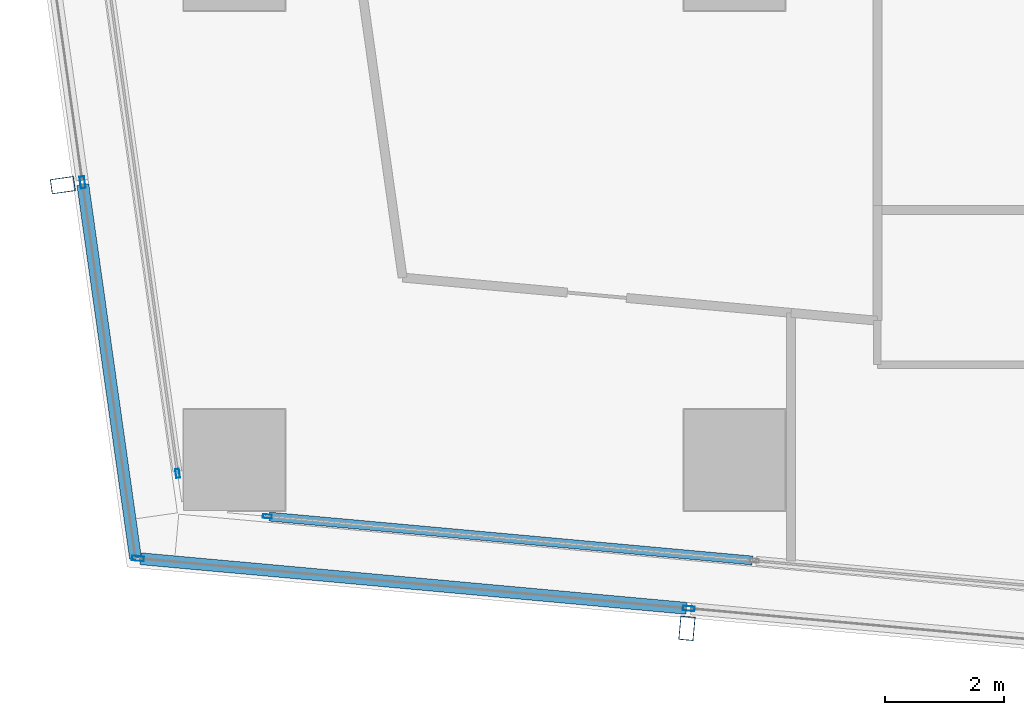
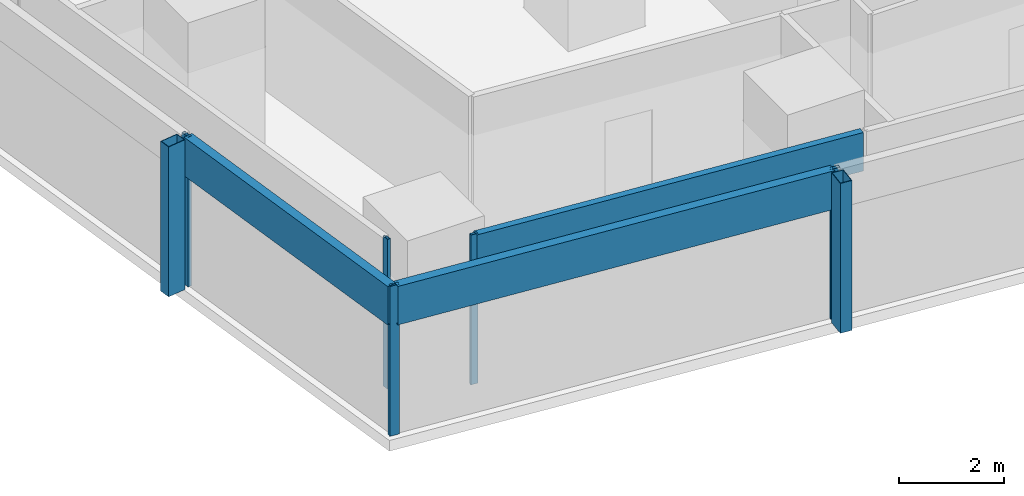
# One storey, part 2 of 40: 10 members, 4 elements without a shape of their own.
"""IFC4 building model written with IfcOpenShell, lengths in metres."""

from ifc_helpers import new_model, si_unit, direction, frame, origin, origin_2d, place, context, subcontext, project, spatial, hollow_rectangle, extrude, material, material_profile, profile_set, type_object, element, aggregate, save


model = new_model("IFC4")

# Units and contexts
model_context = context("Model", 3, precision=1e-05, world=origin(), true_north=direction((0.0, 1.0)))
body_context = subcontext(model_context, "Body", "Model", "MODEL_VIEW")
ifc_project = project(units=[si_unit("LENGTHUNIT", "METRE"), si_unit("AREAUNIT", "SQUARE_METRE"), si_unit("VOLUMEUNIT", "CUBIC_METRE"), si_unit("PLANEANGLEUNIT", "RADIAN"), si_unit("MASSUNIT", "GRAM", prefix="KILO")], contexts=[model_context])

# Site, building, storey
site_placement = place(None, origin())
site = spatial("IfcSite", under=ifc_project, at=site_placement, CompositionType="ELEMENT")
building_placement = place(site_placement, origin())
building = spatial("IfcBuilding", under=site, at=building_placement, Name="Rekha Terrace Tower", CompositionType="ELEMENT")
storey_placement = place(building_placement, frame((0.0, 0.0, 125.300048828125)))
storey = spatial("IfcBuildingStorey", under=building, at=storey_placement, Name="L31", CompositionType="ELEMENT", Elevation=125.300048828125)

# Curtain wall, member
ifc_material_1 = material(Name="Aluminium framing", Category="aluminium")
curtain_wall_type_1 = type_object("IfcCurtainWallType", Name="CW2 double skin outer glazing", PredefinedType="USERDEFINED", material=ifc_material_1)
curtain_wall_1_placement = place(storey_placement, origin())
curtain_wall_1 = element("IfcCurtainWall", 1, at=curtain_wall_1_placement, inside=storey, type_object=curtain_wall_type_1, Name="CW2 double skin outer glazing", ObjectType="DOUBLE SKIN OUTER GLAZING", PredefinedType="USERDEFINED")
ifc_material_2 = material(Name="Steel S355 with fluorocarbon finish", Category="steel")
ifc_material_profile_1 = material_profile(ifc_material_2, hollow_rectangle(XDim=0.25, YDim=0.39990234375, WallThickness=0.012451171875, at=origin_2d()), Name="RHS400x250x12.5")
ifc_profile_set_1 = profile_set([ifc_material_profile_1], Name="Steel S355 with fluorocarbon finish")
member_type_1 = type_object("IfcMemberType", Name="BL1 facade blade RHS 400 x 250", PredefinedType="USERDEFINED", material=ifc_profile_set_1)
member_1_placement = place(storey_placement, frame((16.002197265625, 13.970458984375, 0.0), z_axis=(0.0, 0.0, 1.0), x_axis=(0.995901938317, -0.090439644273, 0.0)))
member_1 = element("IfcMember", 2, at=member_1_placement, type_object=member_type_1, Name="Facade blade", ObjectType="FACADE BLADE", PredefinedType="USERDEFINED", context=body_context, shape_type="SweptSolid", body=[
    extrude(hollow_rectangle(XDim=0.25, YDim=0.39990234375, WallThickness=0.012451171875, at=origin_2d()), origin(), (0.0, 0.0, 1.0), 3.5),
])

curtain_wall_2_placement = place(storey_placement, origin())
curtain_wall_2 = element("IfcCurtainWall", 3, at=curtain_wall_2_placement, inside=storey, type_object=curtain_wall_type_1, Name="CW2 double skin outer glazing", ObjectType="DOUBLE SKIN OUTER GLAZING", PredefinedType="USERDEFINED")
member_2_placement = place(storey_placement, frame((5.51904296875, 21.41455078125, 0.0), z_axis=(0.0, 0.0, 1.0), x_axis=(0.139596532461, -0.990208467003, 0.0)))
member_2 = element("IfcMember", 4, at=member_2_placement, type_object=member_type_1, Name="Facade blade", ObjectType="FACADE BLADE", PredefinedType="USERDEFINED", context=body_context, shape_type="SweptSolid", body=[
    extrude(hollow_rectangle(XDim=0.25, YDim=0.39990234375, WallThickness=0.012451171875, at=origin_2d()), origin(), (0.0, 0.0, 1.0), 3.5),
])

curtain_wall_type_2 = type_object("IfcCurtainWallType", Name="CW1 double skin inner glazing", PredefinedType="USERDEFINED", material=ifc_material_1)
curtain_wall_3_placement = place(storey_placement, origin())
curtain_wall_3 = element("IfcCurtainWall", 5, at=curtain_wall_3_placement, inside=storey, type_object=curtain_wall_type_2, Name="CW1 double skin inner glazing", ObjectType="DOUBLE SKIN INNER GLAZING", PredefinedType="USERDEFINED")
ifc_material_3 = material(Name="Aluminium mullion section", Category="aluminium")
ifc_material_profile_2 = material_profile(ifc_material_3, hollow_rectangle(XDim=0.06494140625, YDim=0.14990234375, WallThickness=0.00390625, at=origin_2d()), Name="AL RHS 65x150")
ifc_profile_set_2 = profile_set([ifc_material_profile_2], Name="Aluminium mullion section")
member_type_2 = type_object("IfcMemberType", Name="CW1 mullion RHS 65 x 150", PredefinedType="MULLION", material=ifc_profile_set_2)
member_3_placement = place(storey_placement, frame((8.953369140625, 15.8505859375, 0.0), z_axis=(0.0, 0.0, 1.0), x_axis=(0.090439811381, 0.995901923142, 0.0)))
member_3 = element("IfcMember", 6, at=member_3_placement, type_object=member_type_2, Name="CW1 mullion 1", PredefinedType="MULLION", context=body_context, shape_type="SweptSolid", body=[
    extrude(hollow_rectangle(XDim=0.06494140625, YDim=0.14990234375, WallThickness=0.00390625, at=origin_2d()), origin(), (0.0, 0.0, 1.0), 3.5),
])

curtain_wall_4_placement = place(storey_placement, origin())
curtain_wall_4 = element("IfcCurtainWall", 7, at=curtain_wall_4_placement, inside=storey, type_object=curtain_wall_type_2, Name="CW1 double skin inner glazing", ObjectType="DOUBLE SKIN INNER GLAZING", PredefinedType="USERDEFINED")
member_4_placement = place(storey_placement, frame((7.448486328125, 16.573974609375, 0.0), z_axis=(0.0, 0.0, 1.0), x_axis=(0.990208394312, 0.139597048082, 0.0)))
member_4 = element("IfcMember", 8, at=member_4_placement, type_object=member_type_2, Name="CW1 mullion 2", PredefinedType="MULLION", context=body_context, shape_type="SweptSolid", body=[
    extrude(hollow_rectangle(XDim=0.06494140625, YDim=0.14990234375, WallThickness=0.00390625, at=origin_2d()), origin(), (0.0, 0.0, 1.0), 3.5),
])
aggregate(curtain_wall_4, [member_4])

# Member
ifc_material_4 = material(Name="Insulated aluminium spandrel box", Category="aluminium")
ifc_material_profile_3 = material_profile(ifc_material_4, hollow_rectangle(XDim=0.14990234375, YDim=0.89990234375, WallThickness=0.0029296875, at=origin_2d()), Name="AL SPANDREL BOX 150x900")
ifc_profile_set_3 = profile_set([ifc_material_profile_3], Name="Insulated aluminium spandrel box")
member_type_3 = type_object("IfcMemberType", Name="CW1 spandrel transom 150 x 900", PredefinedType="USERDEFINED", material=ifc_profile_set_3)
member_5_placement = place(storey_placement, frame((8.98583984375, 15.84765625, 3.050048828125), z_axis=(0.995901551249, -0.090443906483, 0.0), x_axis=(0.090443906483, 0.995901551249, 0.0)))
member_5 = element("IfcMember", 9, at=member_5_placement, type_object=member_type_3, Name="CW1 spandrel transom 1", ObjectType="TRANSOM", PredefinedType="USERDEFINED", context=body_context, shape_type="SweptSolid", body=[
    extrude(hollow_rectangle(XDim=0.14990234375, YDim=0.89990234375, WallThickness=0.0029296875, at=origin_2d()), origin(), (0.0, 0.0, 1.0), 8.1494140625),
])

aggregate(curtain_wall_3, [member_3, member_5])

ifc_material_profile_4 = material_profile(ifc_material_3, hollow_rectangle(XDim=0.080078125, YDim=0.199951171875, WallThickness=0.00390625, at=origin_2d()), Name="AL RHS 80x200")
ifc_profile_set_4 = profile_set([ifc_material_profile_4], Name="Aluminium mullion section")
member_type_4 = type_object("IfcMemberType", Name="CW2 mullion RHS 80 x 200", PredefinedType="MULLION", material=ifc_profile_set_4)
member_6_placement = place(storey_placement, frame((6.780517578125, 15.144287109375, 0.0), z_axis=(0.0, 0.0, 1.0), x_axis=(0.090439811433, 0.995901923137, 0.0)))
member_6 = element("IfcMember", 10, at=member_6_placement, type_object=member_type_4, Name="CW2 mullion 1", PredefinedType="MULLION", context=body_context, shape_type="SweptSolid", body=[
    extrude(hollow_rectangle(XDim=0.080078125, YDim=0.199951171875, WallThickness=0.00390625, at=origin_2d()), origin(), (0.0, 0.0, 1.0), 3.5),
])

member_7_placement = place(storey_placement, frame((16.032470703125, 14.30419921875, 0.0), z_axis=(0.0, 0.0, 1.0), x_axis=(0.090439811433, 0.995901923137, 0.0)))
member_7 = element("IfcMember", 11, at=member_7_placement, type_object=member_type_4, Name="CW2 mullion 2", PredefinedType="MULLION", context=body_context, shape_type="SweptSolid", body=[
    extrude(hollow_rectangle(XDim=0.080078125, YDim=0.199951171875, WallThickness=0.00390625, at=origin_2d()), origin(), (0.0, 0.0, 1.0), 3.5),
])

member_8_placement = place(storey_placement, frame((5.8505859375, 21.46142578125, 0.0), z_axis=(0.0, 0.0, 1.0), x_axis=(0.990208394312, 0.139597048082, 0.0)))
member_8 = element("IfcMember", 12, at=member_8_placement, type_object=member_type_4, Name="CW2 mullion 2", PredefinedType="MULLION", context=body_context, shape_type="SweptSolid", body=[
    extrude(hollow_rectangle(XDim=0.080078125, YDim=0.199951171875, WallThickness=0.00390625, at=origin_2d()), origin(), (0.0, 0.0, 1.0), 3.5),
])

ifc_material_profile_5 = material_profile(ifc_material_4, hollow_rectangle(XDim=0.199951171875, YDim=0.89990234375, WallThickness=0.0029296875, at=origin_2d()), Name="AL SPANDREL BOX 200x900")
ifc_profile_set_5 = profile_set([ifc_material_profile_5], Name="Insulated aluminium spandrel box")
member_type_5 = type_object("IfcMemberType", Name="CW2 spandrel transom 200 x 900", PredefinedType="USERDEFINED", material=ifc_profile_set_5)
member_9_placement = place(storey_placement, frame((6.8203125, 15.140625, 3.050048828125), z_axis=(0.995901458883, -0.090444923548, 0.0), x_axis=(0.090444923548, 0.995901458883, 0.0)))
member_9 = element("IfcMember", 13, at=member_9_placement, type_object=member_type_5, Name="CW2 spandrel transom 1", ObjectType="TRANSOM", PredefinedType="USERDEFINED", context=body_context, shape_type="SweptSolid", body=[
    extrude(hollow_rectangle(XDim=0.199951171875, YDim=0.89990234375, WallThickness=0.0029296875, at=origin_2d()), origin(), (0.0, 0.0, 1.0), 9.210205078125),
])

aggregate(curtain_wall_1, [member_6, member_7, member_9, member_1])

member_10_placement = place(storey_placement, frame((5.856201171875, 21.421875, 3.050048828125), z_axis=(0.139603155616, -0.990207533269, 0.0), x_axis=(0.990207533269, 0.139603155616, 0.0)))
member_10 = element("IfcMember", 14, at=member_10_placement, type_object=member_type_5, Name="CW2 spandrel transom 2", ObjectType="TRANSOM", PredefinedType="USERDEFINED", context=body_context, shape_type="SweptSolid", body=[
    extrude(hollow_rectangle(XDim=0.199951171875, YDim=0.89990234375, WallThickness=0.0029296875, at=origin_2d()), origin(), (0.0, 0.0, 1.0), 6.3359375),
])

aggregate(curtain_wall_2, [member_8, member_10, member_2])

save(model, "model.ifc")
